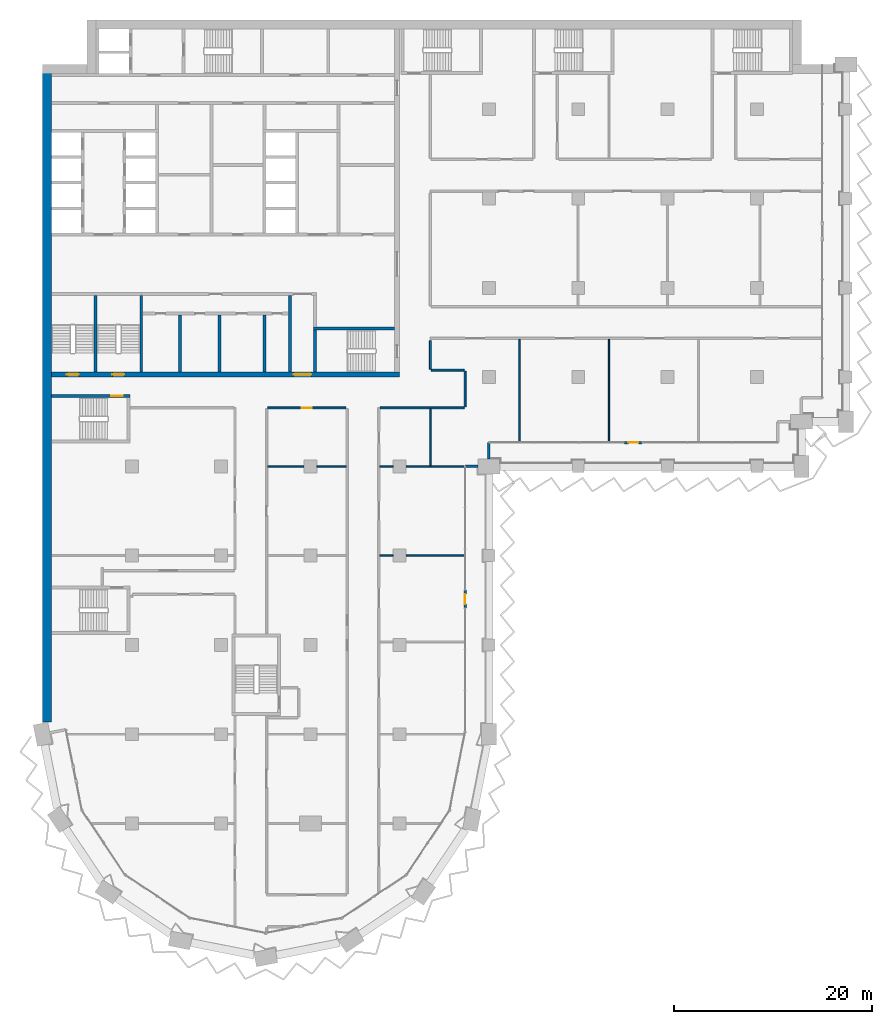
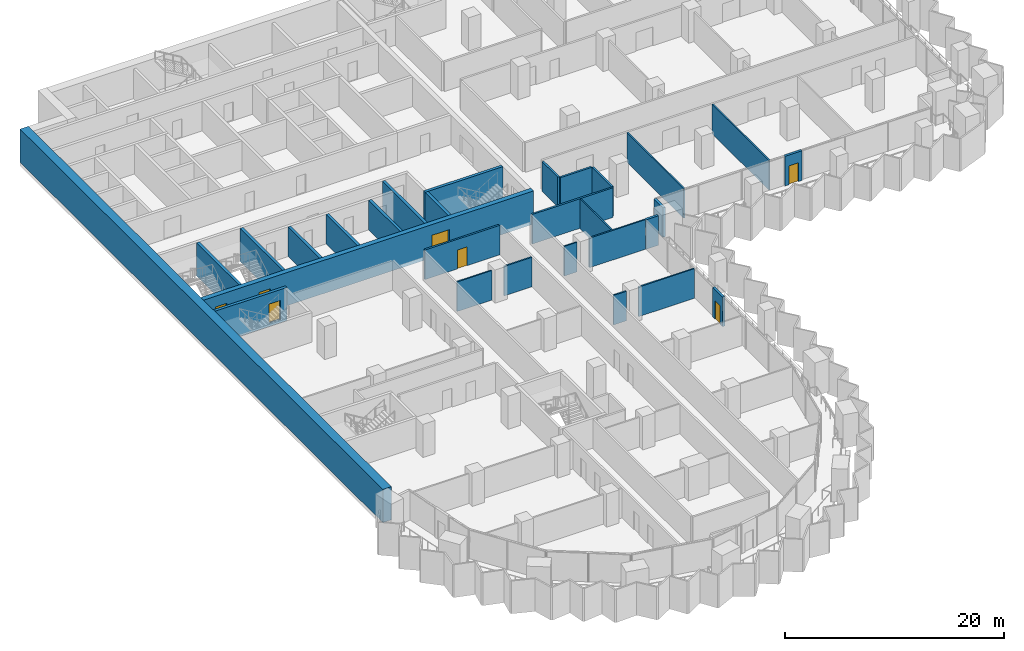
# One storey, part 11 of 22: 29 walls, 7 doors, 7 openings.
"""IFC4 building model written with IfcOpenShell, lengths in metres."""

from ifc_helpers import new_model, si_unit, direction, frame, frame_2d, origin, place, context, subcontext, project, spatial, rectangle, extrude, material, layer, layer_set, type_object, element, fill, save


model = new_model("IFC4")

# Units and contexts
model_context = context("Model", 3, precision=1e-05, world=origin(), true_north=direction((0.0, 1.0)))
body_context = subcontext(model_context, "Body", "Model", "MODEL_VIEW")
ifc_project = project(units=[si_unit("LENGTHUNIT", "METRE"), si_unit("AREAUNIT", "SQUARE_METRE"), si_unit("VOLUMEUNIT", "CUBIC_METRE"), si_unit("PLANEANGLEUNIT", "RADIAN"), si_unit("MASSUNIT", "GRAM", prefix="KILO")], contexts=[model_context])

# Site, building, storey
site_placement = place(None, origin())
site = spatial("IfcSite", under=ifc_project, at=site_placement, CompositionType="ELEMENT")
building_placement = place(site_placement, origin())
building = spatial("IfcBuilding", under=site, at=building_placement, Name="Hunhe Ridgeline Campus", CompositionType="ELEMENT")
storey_placement = place(building_placement, frame((0.0, 0.0, 88.5)))
storey = spatial("IfcBuildingStorey", under=building, at=storey_placement, Name="L21", CompositionType="ELEMENT", Elevation=88.5)

# Walls
ifc_material_1 = material(Name="Masonry concrete blockwork", Category="masonry")
ifc_layer_1 = layer(ifc_material_1, 0.300048828125)
ifc_layer_set_1 = layer_set([ifc_layer_1], Name="Core room partition 300 concrete block")
wall_type_1 = type_object("IfcWallType", Name="Core room partition 300 concrete block", PredefinedType="PARTITIONING", material=ifc_layer_set_1)
for number, where, z_axis, x_axis, name in (
    (1, (13.85009765625, 63.5, 0.0), (0.0, 0.0, 1.0), (0.0, 1.0, 0.0), "L21 core partition 44"),
    (2, (17.85009765625, 63.5, 0.0), (0.0, 0.0, 1.0), (0.0, 1.0, 0.0), "L21 core partition 47"),
    (3, (22.35009765625, 63.5, 0.0), (0.0, 0.0, 1.0), (0.0, 1.0, 0.0), "L21 core partition 50"),
):
    element("IfcWall", number, at=place(storey_placement, frame(where, z_axis=z_axis, x_axis=x_axis)), inside=storey, type_object=wall_type_1, Name=name, PredefinedType="PARTITIONING", context=body_context, shape_type="SweptSolid", body=[
        extrude(rectangle(XDim=5.75, YDim=0.300048828125, at=frame_2d((2.875, 0.0))), origin(), (0.0, 0.0, 1.0), 3.300048828125),
    ])
wall_1_placement = place(storey_placement, frame((24.949951171875, 63.5, 0.0), z_axis=(0.0, 0.0, 1.0), x_axis=(0.0, 1.0, 0.0)))
element("IfcWall", 4, at=wall_1_placement, inside=storey, type_object=wall_type_1, Name="L21 core partition 54", PredefinedType="PARTITIONING", context=body_context, shape_type="SweptSolid", body=[
    extrude(rectangle(XDim=7.75, YDim=0.300048828125, at=frame_2d((3.875, 0.0))), origin(), (0.0, 0.0, 1.0), 3.300048828125),
])

# Wall, openings, doors
ifc_material_2 = material(Name="Concrete C80", Category="concrete")
ifc_layer_2 = layer(ifc_material_2, 0.5)
ifc_layer_set_2 = layer_set([ifc_layer_2], Name="Core wall 500 reinforced concrete C80")
wall_type_2 = type_object("IfcWallType", Name="Core wall 500 reinforced concrete C80", PredefinedType="SOLIDWALL", material=ifc_layer_set_2)
wall_2_placement = place(storey_placement, frame((0.89990234375, 63.25, -0.39990234375), z_axis=(0.0, 0.0, 1.0), x_axis=(1.0, 0.0, 0.0)))
wall_2 = element("IfcWall", 5, at=wall_2_placement, inside=storey, type_object=wall_type_2, Name="L21 core wall 7", PredefinedType="SOLIDWALL", context=body_context, shape_type="SweptSolid", body=[
    extrude(rectangle(XDim=35.10009765625, YDim=0.5, at=frame_2d((17.550048828125, 0.0))), origin(), (0.0, 0.0, 1.0), 3.699951171875),
])
opening_1_placement = place(wall_2_placement, frame((24.39990234375, 0.0, 0.39990234375)))
opening_1 = element("IfcOpeningElement", 6, at=opening_1_placement, cuts=wall_2, Name="Opening CD6", PredefinedType="OPENING", context=body_context, shape_type="SweptSolid", body=[
    extrude(rectangle(XDim=1.800048828125, YDim=2.10009765625, at=frame_2d((0.89990234375, 1.050048828125))), frame((0.0, 0.25, 0.0), z_axis=(0.0, -1.0, 0.0), x_axis=(1.0, 0.0, 0.0)), (0.0, 0.0, 1.0), 0.5),
])
opening_2_placement = place(wall_2_placement, frame((1.550048828125, 0.0, 0.39990234375)))
opening_2 = element("IfcOpeningElement", 7, at=opening_2_placement, cuts=wall_2, Name="Opening CD13", PredefinedType="OPENING", context=body_context, shape_type="SweptSolid", body=[
    extrude(rectangle(XDim=1.199951171875, YDim=2.10009765625, at=frame_2d((0.60009765625, 1.050048828125))), frame((0.0, 0.25, 0.0), z_axis=(0.0, -1.0, 0.0), x_axis=(1.0, 0.0, 0.0)), (0.0, 0.0, 1.0), 0.5),
])
opening_3_placement = place(wall_2_placement, frame((6.14990234375, 0.0, 0.39990234375)))
opening_3 = element("IfcOpeningElement", 8, at=opening_3_placement, cuts=wall_2, Name="Opening CD14", PredefinedType="OPENING", context=body_context, shape_type="SweptSolid", body=[
    extrude(rectangle(XDim=1.199951171875, YDim=2.10009765625, at=frame_2d((0.60009765625, 1.050048828125))), frame((0.0, 0.25, 0.0), z_axis=(0.0, -1.0, 0.0), x_axis=(1.0, 0.0, 0.0)), (0.0, 0.0, 1.0), 0.5),
])
ifc_material_3 = material(Name="Anodised aluminium and glass", Category="aluminium")
door_type_1 = type_object("IfcDoorType", Name="Glazed double door 1800x2100", OperationType="DOUBLE_DOOR_SINGLE_SWING", PredefinedType="DOOR", material=ifc_material_3)
door_1_placement = place(opening_1_placement, frame((1.800048828125, 0.0, 0.0), z_axis=(0.0, 0.0, 1.0), x_axis=(-1.0, 0.0, 0.0)))
door_1 = element("IfcDoor", 9, at=door_1_placement, inside=storey, type_object=door_type_1, Name="L21 door VEST-FLOOR", OperationType="DOUBLE_DOOR_SINGLE_SWING", OverallHeight=2.10009765625, OverallWidth=1.800048828125, PredefinedType="DOOR", context=body_context, shape_type="SweptSolid", body=[
    extrude(rectangle(XDim=1.800048828125, YDim=2.10009765625, at=frame_2d((0.89990234375, 1.050048828125))), frame((0.0, 0.02490234375, 0.0), z_axis=(0.0, -1.0, 0.0), x_axis=(1.0, 0.0, 0.0)), (0.0, 0.0, 1.0), 0.050048828125),
])
fill(opening_1, door_1)
ifc_material_4 = material(Name="Hollow metal fire door leaf")
door_type_2 = type_object("IfcDoorType", Name="Stair door 1200x2100 FD60", OperationType="SINGLE_SWING_LEFT", PredefinedType="DOOR", material=ifc_material_4)
door_2_placement = place(opening_2_placement, frame((1.199951171875, 0.0, 0.0), z_axis=(0.0, 0.0, 1.0), x_axis=(-1.0, 0.0, 0.0)))
door_2 = element("IfcDoor", 10, at=door_2_placement, inside=storey, type_object=door_type_2, Name="L21 door S3", OperationType="SINGLE_SWING_RIGHT", OverallHeight=2.10009765625, OverallWidth=1.199951171875, PredefinedType="DOOR", context=body_context, shape_type="SweptSolid", body=[
    extrude(rectangle(XDim=1.199951171875, YDim=2.10009765625, at=frame_2d((0.60009765625, 1.050048828125))), frame((0.0, 0.02490234375, 0.0), z_axis=(0.0, -1.0, 0.0), x_axis=(1.0, 0.0, 0.0)), (0.0, 0.0, 1.0), 0.050048828125),
])
fill(opening_2, door_2)
door_3_placement = place(opening_3_placement, frame((1.199951171875, 0.0, 0.0), z_axis=(0.0, 0.0, 1.0), x_axis=(-1.0, 0.0, 0.0)))
door_3 = element("IfcDoor", 11, at=door_3_placement, inside=storey, type_object=door_type_2, Name="L21 door S4", OperationType="SINGLE_SWING_LEFT", OverallHeight=2.10009765625, OverallWidth=1.199951171875, PredefinedType="DOOR", context=body_context, shape_type="SweptSolid", body=[
    extrude(rectangle(XDim=1.199951171875, YDim=2.10009765625, at=frame_2d((0.60009765625, 1.050048828125))), frame((0.0, 0.02490234375, 0.0), z_axis=(0.0, -1.0, 0.0), x_axis=(1.0, 0.0, 0.0)), (0.0, 0.0, 1.0), 0.050048828125),
])
fill(opening_3, door_3)

# Walls
ifc_material_5 = material(Name="Concrete C30", Category="concrete")
ifc_layer_3 = layer(ifc_material_5, 0.25)
ifc_layer_set_3 = layer_set([ifc_layer_3], Name="Corner return wall 250 Concrete C30")
wall_type_3 = type_object("IfcWallType", Name="Corner return wall 250 Concrete C30", PredefinedType="SOLIDWALL", material=ifc_layer_set_3)
wall_3_placement = place(storey_placement, frame((42.599365234375, 54.000732421875, 0.0), z_axis=(0.0, 0.0, 1.0), x_axis=(0.99999998238, 0.000187722918, 0.0)))
element("IfcWall", 12, at=wall_3_placement, inside=storey, type_object=wall_type_3, Name="Corner return wall 2", PredefinedType="SOLIDWALL", context=body_context, shape_type="SweptSolid", body=[
    extrude(rectangle(XDim=1.300537109375, YDim=0.25, at=frame_2d((0.650390625, 0.0))), origin(), (0.0, 0.0, 1.0), 3.300048828125),
])
wall_4_placement = place(storey_placement, frame((44.999267578125, 54.75, 0.0), z_axis=(0.0, 0.0, 1.0), x_axis=(0.000443655679, 0.999999901585, 0.0)))
element("IfcWall", 13, at=wall_4_placement, inside=storey, type_object=wall_type_3, Name="Corner return wall 3", PredefinedType="SOLIDWALL", context=body_context, shape_type="SweptSolid", body=[
    extrude(rectangle(XDim=1.65087890625, YDim=0.25, at=frame_2d((0.825439453125, 0.0))), origin(), (0.0, 0.0, 1.0), 3.300048828125),
])
ifc_material_6 = material(Name="Gypsum board partition")
ifc_layer_4 = layer(ifc_material_6, 0.199951171875)
ifc_layer_set_4 = layer_set([ifc_layer_4], Name="Corridor partition 200 gypsum board on steel studs")
wall_type_4 = type_object("IfcWallType", Name="Corridor partition 200 gypsum board on steel studs", PredefinedType="PARTITIONING", material=ifc_layer_set_4)
wall_5_placement = place(storey_placement, frame((34.029296875, 59.89990234375, 0.0), z_axis=(0.0, 0.0, 1.0), x_axis=(1.0, 0.0, 0.0)))
element("IfcWall", 14, at=wall_5_placement, inside=storey, type_object=wall_type_4, Name="F-L21-wall-034", PredefinedType="PARTITIONING", context=body_context, shape_type="SweptSolid", body=[
    extrude(rectangle(XDim=8.470703125, YDim=0.199951171875, at=frame_2d((4.2353515625, 0.0))), origin(), (0.0, 0.0, 1.0), 3.300048828125),
])

# Wall, opening, door
wall_6_placement = place(storey_placement, frame((30.580810546875, 59.89990234375, 0.0), z_axis=(0.0, 0.0, 1.0), x_axis=(-1.0, 0.0, 0.0)))
wall_6 = element("IfcWall", 15, at=wall_6_placement, inside=storey, type_object=wall_type_4, Name="F-L21-wall-036", PredefinedType="PARTITIONING", context=body_context, shape_type="SweptSolid", body=[
    extrude(rectangle(XDim=7.882568359375, YDim=0.199951171875, at=frame_2d((3.94140625, 0.0))), origin(), (0.0, 0.0, 1.0), 3.300048828125),
])
opening_4_placement = place(wall_6_placement, frame((3.441162109375, 0.0, 0.0)))
opening_4 = element("IfcOpeningElement", 16, at=opening_4_placement, cuts=wall_6, Name="Opening RD1-021", PredefinedType="OPENING", context=body_context, shape_type="SweptSolid", body=[
    extrude(rectangle(XDim=1.0, YDim=2.10009765625, at=frame_2d((0.5, 1.050048828125))), frame((0.0, 0.10009765625, 0.0), z_axis=(0.0, -1.0, 0.0), x_axis=(1.0, 0.0, 0.0)), (0.0, 0.0, 1.0), 0.199951171875),
])
ifc_material_7 = material(Name="Timber door leaf", Category="wood")
door_type_3 = type_object("IfcDoorType", Name="Single fire door 1000x2100 timber FD60", OperationType="NOTDEFINED", PredefinedType="DOOR", material=ifc_material_7)
door_4_placement = place(opening_4_placement, origin())
door_4 = element("IfcDoor", 17, at=door_4_placement, inside=storey, type_object=door_type_3, Name="F-L21-door-021", OperationType="SINGLE_SWING_RIGHT", OverallHeight=2.10009765625, OverallWidth=1.0, PredefinedType="DOOR", context=body_context, shape_type="SweptSolid", body=[
    extrude(rectangle(XDim=1.0, YDim=2.10009765625, at=frame_2d((0.5, 1.050048828125))), frame((0.0, 0.02490234375, 0.0), z_axis=(0.0, -1.0, 0.0), x_axis=(1.0, 0.0, 0.0)), (0.0, 0.0, 1.0), 0.050048828125),
])
fill(opening_4, door_4)

# Walls
wall_7_placement = place(storey_placement, frame((39.199951171875, 63.699951171875, 0.0), z_axis=(0.0, 0.0, 1.0), x_axis=(1.0, 0.0, 0.0)))
element("IfcWall", 18, at=wall_7_placement, inside=storey, type_object=wall_type_4, Name="F-L21-wall-037", PredefinedType="PARTITIONING", context=body_context, shape_type="SweptSolid", body=[
    extrude(rectangle(XDim=3.300048828125, YDim=0.199951171875, at=frame_2d((1.64990234375, 0.0))), origin(), (0.0, 0.0, 1.0), 3.300048828125),
])
wall_8_placement = place(storey_placement, frame((39.10009765625, 66.669677734375, 0.0), z_axis=(0.0, 0.0, 1.0), x_axis=(0.0, -1.0, 0.0)))
element("IfcWall", 19, at=wall_8_placement, inside=storey, type_object=wall_type_4, Name="F-L21-wall-056", PredefinedType="PARTITIONING", context=body_context, shape_type="SweptSolid", body=[
    extrude(rectangle(XDim=2.86962890625, YDim=0.199951171875, at=frame_2d((1.434814453125, 0.0))), origin(), (0.0, 0.0, 1.0), 3.300048828125),
])
wall_9_placement = place(storey_placement, frame((42.60009765625, 63.60009765625, 0.0), z_axis=(0.0, 0.0, 1.0), x_axis=(0.0, -1.0, 0.0)))
element("IfcWall", 20, at=wall_9_placement, inside=storey, type_object=wall_type_4, Name="F-L21-wall-059", PredefinedType="PARTITIONING", context=body_context, shape_type="SweptSolid", body=[
    extrude(rectangle(XDim=3.60009765625, YDim=0.199951171875, at=frame_2d((1.800048828125, 0.0))), origin(), (0.0, 0.0, 1.0), 3.300048828125),
])

# Wall, opening, door
ifc_layer_5 = layer(ifc_material_5, 0.25)
ifc_layer_set_5 = layer_set([ifc_layer_5], Name="Loggia door pier wall 250 Concrete C30")
wall_type_5 = type_object("IfcWallType", Name="Loggia door pier wall 250 Concrete C30", PredefinedType="SOLIDWALL", material=ifc_layer_set_5)
wall_10_placement = place(storey_placement, frame((42.59912109375, 39.718505859375, 0.0), z_axis=(0.0, 0.0, 1.0), x_axis=(0.0, 1.0, 0.0)))
wall_10 = element("IfcWall", 21, at=wall_10_placement, inside=storey, type_object=wall_type_5, Name="Loggia door pier 3", PredefinedType="SOLIDWALL", context=body_context, shape_type="SweptSolid", body=[
    extrude(rectangle(XDim=1.800048828125, YDim=0.25, at=frame_2d((0.89990234375, 0.0))), origin(), (0.0, 0.0, 1.0), 3.300048828125),
])
opening_5_placement = place(wall_10_placement, frame((0.39990234375, 0.0, 0.0)))
opening_5 = element("IfcOpeningElement", 22, at=opening_5_placement, cuts=wall_10, Name="Opening BD205", PredefinedType="OPENING", context=body_context, shape_type="SweptSolid", body=[
    extrude(rectangle(XDim=1.0, YDim=2.10009765625, at=frame_2d((0.5, 1.050048828125))), frame((0.0, 0.125, 0.0), z_axis=(0.0, -1.0, 0.0), x_axis=(1.0, 0.0, 0.0)), (0.0, 0.0, 1.0), 0.25),
])
ifc_material_8 = material(Name="Aluminium 6063", Category="aluminium")
door_type_4 = type_object("IfcDoorType", Name="Loggia glazed door 1000x2100", OperationType="NOTDEFINED", PredefinedType="DOOR", material=ifc_material_8)
door_5_placement = place(opening_5_placement, frame((1.0, 0.0, 0.0), z_axis=(0.0, 0.0, 1.0), x_axis=(-1.0, 0.0, 0.0)))
door_5 = element("IfcDoor", 23, at=door_5_placement, inside=storey, type_object=door_type_4, Name="Loggia door BD205", OperationType="SINGLE_SWING_RIGHT", OverallHeight=2.10009765625, OverallWidth=1.0, PredefinedType="DOOR", context=body_context, shape_type="SweptSolid", body=[
    extrude(rectangle(XDim=1.0, YDim=2.10009765625, at=frame_2d((0.5, 1.050048828125))), frame((0.0, 0.02490234375, 0.0), z_axis=(0.0, -1.0, 0.0), x_axis=(1.0, 0.0, 0.0)), (0.0, 0.0, 1.0), 0.050048828125),
])
fill(opening_5, door_5)

wall_11_placement = place(storey_placement, frame((58.6494140625, 56.40087890625, 0.0), z_axis=(0.0, 0.0, 1.0), x_axis=(1.0, 0.0, 0.0)))
wall_11 = element("IfcWall", 24, at=wall_11_placement, inside=storey, type_object=wall_type_5, Name="Loggia door pier 4", PredefinedType="SOLIDWALL", context=body_context, shape_type="SweptSolid", body=[
    extrude(rectangle(XDim=1.800048828125, YDim=0.25, at=frame_2d((0.89990234375, 0.0))), origin(), (0.0, 0.0, 1.0), 3.300048828125),
])
opening_6_placement = place(wall_11_placement, frame((0.39990234375, 0.0, 0.0)))
opening_6 = element("IfcOpeningElement", 25, at=opening_6_placement, cuts=wall_11, Name="Opening BD206", PredefinedType="OPENING", context=body_context, shape_type="SweptSolid", body=[
    extrude(rectangle(XDim=1.0, YDim=2.10009765625, at=frame_2d((0.5, 1.050048828125))), frame((0.0, 0.125, 0.0), z_axis=(0.0, -1.0, 0.0), x_axis=(1.0, 0.0, 0.0)), (0.0, 0.0, 1.0), 0.25),
])
door_6_placement = place(opening_6_placement, frame((1.0, 0.0, 0.0), z_axis=(0.0, 0.0, 1.0), x_axis=(-1.0, 0.0, 0.0)))
door_6 = element("IfcDoor", 26, at=door_6_placement, inside=storey, type_object=door_type_4, Name="Loggia door BD206", OperationType="SINGLE_SWING_LEFT", OverallHeight=2.10009765625, OverallWidth=1.0, PredefinedType="DOOR", context=body_context, shape_type="SweptSolid", body=[
    extrude(rectangle(XDim=1.0, YDim=2.10009765625, at=frame_2d((0.5, 1.050048828125))), frame((0.0, 0.02490234375, 0.0), z_axis=(0.0, -1.0, 0.0), x_axis=(1.0, 0.0, 0.0)), (0.0, 0.0, 1.0), 0.050048828125),
])
fill(opening_6, door_6)

# Walls
ifc_layer_6 = layer(ifc_material_6, 0.14990234375)
ifc_layer_set_6 = layer_set([ifc_layer_6], Name="Room partition 150 gypsum board on steel studs")
wall_type_6 = type_object("IfcWallType", Name="Room partition 150 gypsum board on steel studs", PredefinedType="PARTITIONING", material=ifc_layer_set_6)
wall_12_placement = place(storey_placement, frame((34.0, 45.0, 0.0), z_axis=(0.0, 0.0, 1.0), x_axis=(1.0, 0.0, 0.0)))
element("IfcWall", 27, at=wall_12_placement, inside=storey, type_object=wall_type_6, Name="F-L21-wall-028", PredefinedType="PARTITIONING", context=body_context, shape_type="SweptSolid", body=[
    extrude(rectangle(XDim=1.35009765625, YDim=0.14990234375, at=frame_2d((0.675048828125, 0.0))), origin(), (0.0, 0.0, 1.0), 3.300048828125),
])
wall_13_placement = place(storey_placement, frame((36.64990234375, 45.0, 0.0), z_axis=(0.0, 0.0, 1.0), x_axis=(1.0, 0.0, 0.0)))
element("IfcWall", 28, at=wall_13_placement, inside=storey, type_object=wall_type_6, Name="F-L21-wall-029", PredefinedType="PARTITIONING", context=body_context, shape_type="SweptSolid", body=[
    extrude(rectangle(XDim=5.895263671875, YDim=0.14990234375, at=frame_2d((2.94775390625, 0.0))), origin(), (0.0, 0.0, 1.0), 3.300048828125),
])
wall_14_placement = place(storey_placement, frame((22.699951171875, 54.0, 0.0), z_axis=(0.0, 0.0, 1.0), x_axis=(1.0, 0.0, 0.0)))
element("IfcWall", 29, at=wall_14_placement, inside=storey, type_object=wall_type_6, Name="F-L21-wall-030", PredefinedType="PARTITIONING", context=body_context, shape_type="SweptSolid", body=[
    extrude(rectangle(XDim=3.650146484375, YDim=0.14990234375, at=frame_2d((1.8251953125, 0.0))), origin(), (0.0, 0.0, 1.0), 3.300048828125),
])
wall_15_placement = place(storey_placement, frame((27.64990234375, 54.0, 0.0), z_axis=(0.0, 0.0, 1.0), x_axis=(1.0, 0.0, 0.0)))
element("IfcWall", 30, at=wall_15_placement, inside=storey, type_object=wall_type_6, Name="F-L21-wall-031", PredefinedType="PARTITIONING", context=body_context, shape_type="SweptSolid", body=[
    extrude(rectangle(XDim=2.9501953125, YDim=0.14990234375, at=frame_2d((1.47509765625, 0.0))), origin(), (0.0, 0.0, 1.0), 3.300048828125),
])
wall_16_placement = place(storey_placement, frame((34.0, 54.0, 0.0), z_axis=(0.0, 0.0, 1.0), x_axis=(1.0, 0.0, 0.0)))
element("IfcWall", 31, at=wall_16_placement, inside=storey, type_object=wall_type_6, Name="F-L21-wall-032", PredefinedType="PARTITIONING", context=body_context, shape_type="SweptSolid", body=[
    extrude(rectangle(XDim=1.35009765625, YDim=0.14990234375, at=frame_2d((0.675048828125, 0.0))), origin(), (0.0, 0.0, 1.0), 3.300048828125),
])
wall_17_placement = place(storey_placement, frame((36.64990234375, 54.0, 0.0), z_axis=(0.0, 0.0, 1.0), x_axis=(1.0, 0.0, 0.0)))
element("IfcWall", 32, at=wall_17_placement, inside=storey, type_object=wall_type_6, Name="F-L21-wall-033", PredefinedType="PARTITIONING", context=body_context, shape_type="SweptSolid", body=[
    extrude(rectangle(XDim=5.8955078125, YDim=0.14990234375, at=frame_2d((2.94775390625, 0.0))), origin(), (0.0, 0.0, 1.0), 3.300048828125),
])
wall_18_placement = place(storey_placement, frame((39.10009765625, 59.800048828125, 0.0), z_axis=(0.0, 0.0, 1.0), x_axis=(0.0, -1.0, 0.0)))
element("IfcWall", 33, at=wall_18_placement, inside=storey, type_object=wall_type_6, Name="F-L21-wall-055", PredefinedType="PARTITIONING", context=body_context, shape_type="SweptSolid", body=[
    extrude(rectangle(XDim=5.72509765625, YDim=0.14990234375, at=frame_2d((2.862548828125, 0.0))), origin(), (0.0, 0.0, 1.0), 3.300048828125),
])
for number, where, z_axis, x_axis, name in (
    (34, (48.10009765625, 66.800048828125, 0.0), (0.0, 0.0, 1.0), (0.0, -1.0, 0.0), "F-L21-wall-060"),
    (35, (57.10009765625, 66.800048828125, 0.0), (0.0, 0.0, 1.0), (0.0, -1.0, 0.0), "F-L21-wall-065"),
):
    element("IfcWall", number, at=place(storey_placement, frame(where, z_axis=z_axis, x_axis=x_axis)), inside=storey, type_object=wall_type_6, Name=name, PredefinedType="PARTITIONING", context=body_context, shape_type="SweptSolid", body=[
        extrude(rectangle(XDim=10.344970703125, YDim=0.14990234375, at=frame_2d((5.17236328125, 0.0))), origin(), (0.0, 0.0, 1.0), 3.300048828125),
    ])
ifc_material_9 = material(Name="Concrete C70", Category="concrete")
ifc_layer_7 = layer(ifc_material_9, 0.89990234375)
ifc_layer_set_7 = layer_set([ifc_layer_7], Name="Spine wall 900 Concrete C70")
wall_type_7 = type_object("IfcWallType", Name="Spine wall 900 Concrete C70", PredefinedType="SHEAR", material=ifc_layer_set_7)
wall_19_placement = place(storey_placement, frame((0.449951171875, 94.5, 0.0), z_axis=(0.0, 0.0, 1.0), x_axis=(0.0, -1.0, 0.0)))
element("IfcWall", 36, at=wall_19_placement, inside=storey, type_object=wall_type_7, Name="Spine wall SW2-1 L21", PredefinedType="SHEAR", context=body_context, shape_type="SweptSolid", body=[
    extrude(rectangle(XDim=66.288818359375, YDim=0.89990234375, at=frame_2d((33.14453125, 0.0))), origin(), (0.0, 0.0, 1.0), 3.699951171875),
])

# Wall, opening, door
ifc_layer_8 = layer(ifc_material_2, 0.300048828125)
ifc_layer_set_8 = layer_set([ifc_layer_8], Name="Stair wall 300 reinforced concrete C80")
wall_type_8 = type_object("IfcWallType", Name="Stair wall 300 reinforced concrete C80", PredefinedType="SOLIDWALL", material=ifc_layer_set_8)
wall_20_placement = place(storey_placement, frame((0.89990234375, 61.10009765625, -0.39990234375), z_axis=(0.0, 0.0, 1.0), x_axis=(1.0, 0.0, 0.0)))
wall_20 = element("IfcWall", 37, at=wall_20_placement, inside=storey, type_object=wall_type_8, Name="L21 core wall 6", PredefinedType="SOLIDWALL", context=body_context, shape_type="SweptSolid", body=[
    extrude(rectangle(XDim=7.900146484375, YDim=0.300048828125, at=frame_2d((3.9501953125, 0.0))), origin(), (0.0, 0.0, 1.0), 3.699951171875),
])
opening_7_placement = place(wall_20_placement, frame((6.0, 0.0, 0.39990234375)))
opening_7 = element("IfcOpeningElement", 38, at=opening_7_placement, cuts=wall_20, Name="Opening CD22", PredefinedType="OPENING", context=body_context, shape_type="SweptSolid", body=[
    extrude(rectangle(XDim=1.199951171875, YDim=2.10009765625, at=frame_2d((0.60009765625, 1.050048828125))), frame((0.0, 0.14990234375, 0.0), z_axis=(0.0, -1.0, 0.0), x_axis=(1.0, 0.0, 0.0)), (0.0, 0.0, 1.0), 0.300048828125),
])
door_7_placement = place(opening_7_placement, origin())
door_7 = element("IfcDoor", 39, at=door_7_placement, inside=storey, type_object=door_type_2, Name="L21 door W2", OperationType="SINGLE_SWING_LEFT", OverallHeight=2.10009765625, OverallWidth=1.199951171875, PredefinedType="DOOR", context=body_context, shape_type="SweptSolid", body=[
    extrude(rectangle(XDim=1.199951171875, YDim=2.10009765625, at=frame_2d((0.60009765625, 1.050048828125))), frame((0.0, 0.02490234375, 0.0), z_axis=(0.0, -1.0, 0.0), x_axis=(1.0, 0.0, 0.0)), (0.0, 0.0, 1.0), 0.050048828125),
])
fill(opening_7, door_7)

# Walls
wall_21_placement = place(storey_placement, frame((27.300048828125, 67.89990234375, -0.39990234375), z_axis=(0.0, 0.0, 1.0), x_axis=(1.0, 0.0, 0.0)))
element("IfcWall", 40, at=wall_21_placement, inside=storey, type_object=wall_type_8, Name="L21 core wall 8", PredefinedType="SOLIDWALL", context=body_context, shape_type="SweptSolid", body=[
    extrude(rectangle(XDim=8.199951171875, YDim=0.300048828125, at=frame_2d((4.10009765625, 0.0))), origin(), (0.0, 0.0, 1.0), 3.699951171875),
])
for number, where, z_axis, x_axis, name in (
    (41, (5.35009765625, 63.5, -0.39990234375), (0.0, 0.0, 1.0), (0.0, 1.0, 0.0), "L21 core wall 35"),
    (42, (9.949951171875, 63.5, -0.39990234375), (0.0, 0.0, 1.0), (0.0, 1.0, 0.0), "L21 core wall 41"),
):
    element("IfcWall", number, at=place(storey_placement, frame(where, z_axis=z_axis, x_axis=x_axis)), inside=storey, type_object=wall_type_8, Name=name, PredefinedType="SOLIDWALL", context=body_context, shape_type="SweptSolid", body=[
        extrude(rectangle(XDim=7.75, YDim=0.300048828125, at=frame_2d((3.875, 0.0))), origin(), (0.0, 0.0, 1.0), 3.699951171875),
    ])
wall_22_placement = place(storey_placement, frame((27.449951171875, 63.5, -0.39990234375), z_axis=(0.0, 0.0, 1.0), x_axis=(0.0, 1.0, 0.0)))
element("IfcWall", 43, at=wall_22_placement, inside=storey, type_object=wall_type_8, Name="L21 core wall 56", PredefinedType="SOLIDWALL", context=body_context, shape_type="SweptSolid", body=[
    extrude(rectangle(XDim=4.25, YDim=0.300048828125, at=frame_2d((2.125, 0.0))), origin(), (0.0, 0.0, 1.0), 3.699951171875),
])

save(model, "model.ifc")
